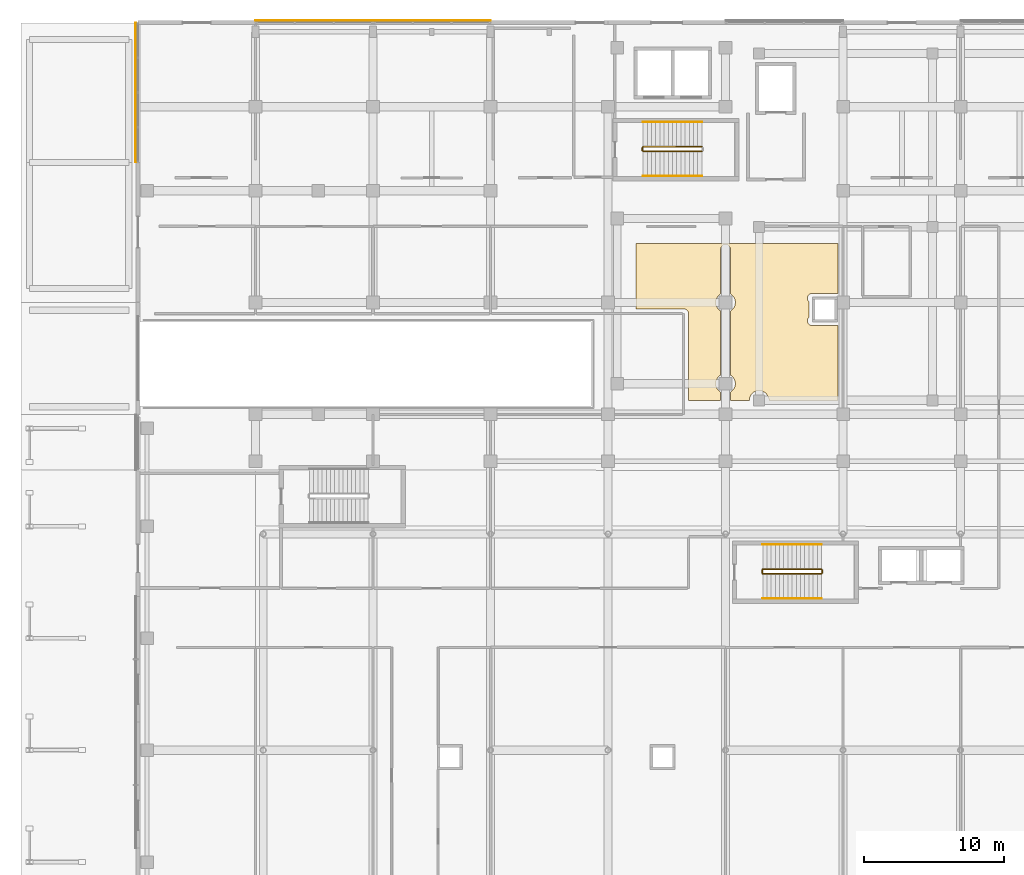
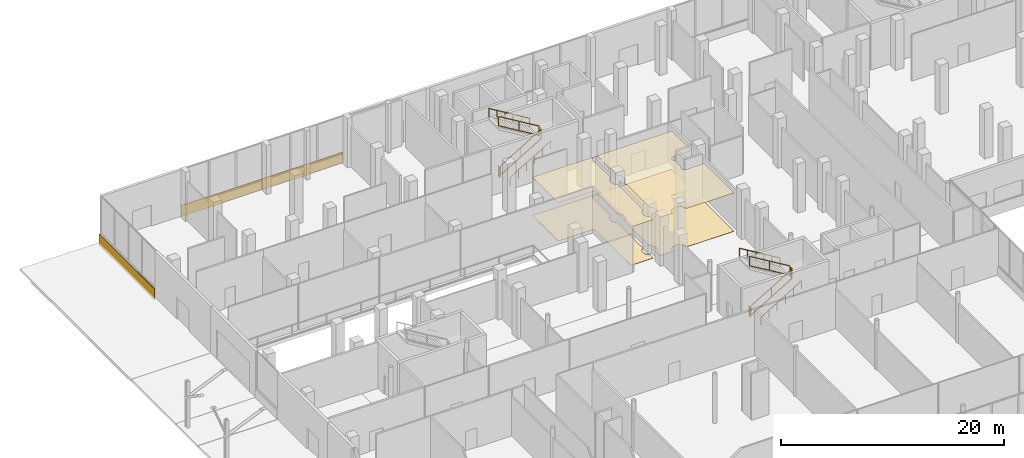
# One storey, part 153 of 158: 11 railings, 5 coverings.
"""IFC4 building model written with IfcOpenShell, lengths in metres."""

import ifcopenshell
import ifcopenshell.guid

model = None  # the IFC model being written
_history = None  # IfcOwnerHistory: only IFC2X3 demands one
_inside = {}  # id of a spatial element -> (the spatial element, [elements in it])
_under = {}  # id of a project, library or spatial element -> (it, [spatial elements below it])
_declared = {}  # id of a project -> (the project, [libraries it declares])
_typed = {}  # id of a type object -> (the type object, [elements of that type])
_made_of = {}  # id of a material, layer set ... -> (it, [elements and type objects made of it])


def new_model(schema):
    """Start an empty IFC model of exactly this schema.

    Asked for "IFC4X3", IfcOpenShell would pick the latest addendum, in which some entities
    have other attributes; the version numbers below select the first issue.
    IFC2X3 requires an IfcOwnerHistory on every rooted entity: one is made here for all.
    """
    global model, _history
    if schema == "IFC4X3":
        model = ifcopenshell.file(schema_version=(4, 3, 0, 0))
    else:
        model = ifcopenshell.file(schema=schema)
    _inside.clear()
    _under.clear()
    _declared.clear()
    _typed.clear()
    _made_of.clear()
    _history = None
    if model.schema == "IFC2X3":
        org = make("IfcOrganization", Name="unknown")
        user = make(
            "IfcPersonAndOrganization",
            ThePerson=make("IfcPerson", FamilyName="unknown"),
            TheOrganization=org,
        )
        app = make(
            "IfcApplication",
            ApplicationDeveloper=org,
            Version="unknown",
            ApplicationFullName="unknown",
            ApplicationIdentifier="unknown",
        )
        _history = make(
            "IfcOwnerHistory",
            OwningUser=user,
            OwningApplication=app,
            ChangeAction="ADDED",
            CreationDate=0,
        )
    return model


def make(cls, **values):
    """One entity of the class cls with the attributes given. An attribute that is None is left unset."""
    return model.create_entity(
        cls, **{name: value for name, value in values.items() if value is not None}
    )


def rooted(cls, **values):
    """An entity with a GlobalId (a new one), such as an element, a storey or a relation."""
    return make(cls, GlobalId=ifcopenshell.guid.new(), OwnerHistory=_history, **values)


def si_unit(unit_type, name, prefix=None):
    """IfcSIUnit, for example si_unit("LENGTHUNIT", "METRE", prefix="MILLI")."""
    return make("IfcSIUnit", UnitType=unit_type, Prefix=prefix, Name=name)


def assignment(units):
    """IfcUnitAssignment: the units of a project."""
    return None if units is None else make("IfcUnitAssignment", Units=units)


def point(xyz):
    """IfcCartesianPoint."""
    return None if xyz is None else make("IfcCartesianPoint", Coordinates=xyz)


def direction(xyz):
    """IfcDirection."""
    return None if xyz is None else make("IfcDirection", DirectionRatios=xyz)


def frame(location, z_axis=None, x_axis=None):
    """IfcAxis2Placement3D, a coordinate frame: its origin and axes. An axis left out is left unset."""
    return make(
        "IfcAxis2Placement3D",
        Location=point(location),
        Axis=direction(z_axis),
        RefDirection=direction(x_axis),
    )


def frame_2d(location, x_axis=None):
    """IfcAxis2Placement2D, a coordinate frame in the plane: its origin and x axis."""
    return make(
        "IfcAxis2Placement2D", Location=point(location), RefDirection=direction(x_axis)
    )


def origin():
    """The frame at (0, 0, 0) with its axes left unset."""
    return frame((0.0, 0.0, 0.0))


def origin_2d():
    """The frame at (0, 0) in the plane with its x axis left unset."""
    return frame_2d((0.0, 0.0))


def place(relative_to, where):
    """IfcLocalPlacement: puts the frame where relative to a parent placement (None: the world)."""
    return make(
        "IfcLocalPlacement", PlacementRelTo=relative_to, RelativePlacement=where
    )


def context(
    kind, dimensions, precision=None, world=None, true_north=None, identifier=None
):
    """IfcGeometricRepresentationContext, for example the 3D "Model" context."""
    return make(
        "IfcGeometricRepresentationContext",
        ContextIdentifier=identifier,
        ContextType=kind,
        CoordinateSpaceDimension=dimensions,
        Precision=precision,
        WorldCoordinateSystem=world,
        TrueNorth=true_north,
    )


def subcontext(parent, identifier, kind, view, scale=None):
    """IfcGeometricRepresentationSubContext, for example "Body" below "Model"."""
    return make(
        "IfcGeometricRepresentationSubContext",
        ContextIdentifier=identifier,
        ContextType=kind,
        ParentContext=parent,
        TargetScale=scale,
        TargetView=view,
    )


def project(units=None, contexts=None):
    """IfcProject with its units and contexts."""
    return rooted(
        "IfcProject",
        Name="project",
        RepresentationContexts=contexts,
        UnitsInContext=assignment(units),
    )


def spatial(cls, under=None, at=None, **own):
    """A site, building, storey or space (cls), placed at a placement, below another one or the project."""
    s = rooted(cls, ObjectPlacement=at, **own)
    if under is not None:
        _under.setdefault(under.id(), (under, []))[1].append(s)
    return s


def polyline(points):
    """IfcPolyline through the points."""
    return make("IfcPolyline", Points=[point(p) for p in points])


def profile(cls, at=None, kind="AREA", **sizes):
    """A parametric profile (cls). Its sizes go by their IFC names, for example OverallWidth=200.0."""
    return make(cls, ProfileType=kind, Position=at, **sizes)


def rectangle(**sizes):
    """IfcRectangleProfileDef."""
    return profile("IfcRectangleProfileDef", **sizes)


def circle(**sizes):
    """IfcCircleProfileDef."""
    return profile("IfcCircleProfileDef", **sizes)


def outline(outer, holes=None, kind="AREA"):
    """IfcArbitraryClosedProfileDef: a profile drawn as a closed curve; with holes, ...WithVoids."""
    if holes is None:
        return make("IfcArbitraryClosedProfileDef", ProfileType=kind, OuterCurve=outer)
    return make(
        "IfcArbitraryProfileDefWithVoids",
        ProfileType=kind,
        OuterCurve=outer,
        InnerCurves=holes,
    )


def extrude(swept, where, along, depth):
    """IfcExtrudedAreaSolid: the profile swept, set in the frame where, extruded along a direction by depth."""
    return make(
        "IfcExtrudedAreaSolid",
        SweptArea=swept,
        Position=where,
        ExtrudedDirection=direction(along),
        Depth=depth,
    )


def shape(context_of_items, identifier, shape_type, items):
    """IfcShapeRepresentation: the items that make up one representation, for example the "Body"."""
    return make(
        "IfcShapeRepresentation",
        ContextOfItems=context_of_items,
        RepresentationIdentifier=identifier,
        RepresentationType=shape_type,
        Items=items,
    )


def material(Name=None, Category=None):
    """IfcMaterial."""
    return make("IfcMaterial", Name=Name, Category=Category)


def layer(
    of_material, thickness, ventilated=None, Name=None, Category=None, Priority=None
):
    """IfcMaterialLayer: one layer of a wall or slab, of a material (None: an air gap)."""
    return make(
        "IfcMaterialLayer",
        Material=of_material,
        LayerThickness=thickness,
        IsVentilated=ventilated,
        Name=Name,
        Category=Category,
        Priority=Priority,
    )


def layer_set(layers, Name=None):
    """IfcMaterialLayerSet."""
    return make("IfcMaterialLayerSet", MaterialLayers=layers, LayerSetName=Name)


def made_of(thing, what):
    """Note that an element or type object is made of a material, layer set ...; save() writes the relation."""
    if what is not None:
        _made_of.setdefault(what.id(), (what, []))[1].append(thing)
    return thing


def type_object(cls, material=None, **own):
    """A type object (cls), such as IfcWallType, which elements share."""
    return made_of(rooted(cls, **own), material)


def element(
    cls,
    number,
    at=None,
    inside=None,
    cuts=None,
    type_object=None,
    material=None,
    context=None,
    identifier="Body",
    shape_type=None,
    held_by="IfcProductDefinitionShape",
    body=None,
    shapes=None,
    **own,
):
    """One element of the class cls, such as IfcWall. Its Tag is "e" and its number.

    at: its placement. inside: the storey or other place that contains it. cuts: it is an
    opening in that element (IfcRelVoidsElement). A single representation is given by context,
    identifier, shape_type and body (its items); several are given by shapes. held_by: the class
    of the entity that holds the representations. save() writes the other relations.
    """
    e = rooted(cls, Tag="e%d" % number, ObjectPlacement=at, **own)
    if body is not None:
        shapes = [shape(context, identifier, shape_type, body)]
    if shapes is not None:
        e.Representation = make(held_by, Representations=shapes)
    if inside is not None:
        _inside.setdefault(inside.id(), (inside, []))[1].append(e)
    if cuts is not None:
        rooted(
            "IfcRelVoidsElement", RelatingBuildingElement=cuts, RelatedOpeningElement=e
        )
    if type_object is not None:
        _typed.setdefault(type_object.id(), (type_object, []))[1].append(e)
    return made_of(e, material)


def aggregate(whole, parts):
    """IfcRelAggregates: a whole, such as a stair, and the parts it consists of."""
    return rooted("IfcRelAggregates", RelatingObject=whole, RelatedObjects=parts)


def save(model, path):
    """Write the relations noted so far, then the file.

    IfcRelAggregates (storeys below a building ...), IfcRelContainedInSpatialStructure (elements
    in a storey), IfcRelDefinesByType, IfcRelAssociatesMaterial and IfcRelDeclares: one each for
    every whole, place, type object, material and project.
    """
    for whole, parts in _under.values():
        aggregate(whole, parts)
    for where, things in _inside.values():
        rooted(
            "IfcRelContainedInSpatialStructure",
            RelatedElements=things,
            RelatingStructure=where,
        )
    for kind, things in _typed.values():
        rooted("IfcRelDefinesByType", RelatedObjects=things, RelatingType=kind)
    for what, things in _made_of.values():
        rooted("IfcRelAssociatesMaterial", RelatedObjects=things, RelatingMaterial=what)
    for by, libraries in _declared.values():
        rooted("IfcRelDeclares", RelatingContext=by, RelatedDefinitions=libraries)
    model.write(path)


model = new_model("IFC4")

# Units and contexts
model_context = context("Model", 3, precision=1e-05, world=origin(), true_north=direction((0.0, 1.0)))
body_context = subcontext(model_context, "Body", "Model", "MODEL_VIEW")
ifc_project = project(units=[si_unit("LENGTHUNIT", "METRE"), si_unit("AREAUNIT", "SQUARE_METRE"), si_unit("VOLUMEUNIT", "CUBIC_METRE"), si_unit("PLANEANGLEUNIT", "RADIAN"), si_unit("MASSUNIT", "GRAM", prefix="KILO")], contexts=[model_context])

# Site, building, storey
site_placement = place(None, origin())
site = spatial("IfcSite", under=ifc_project, at=site_placement, CompositionType="ELEMENT")
building_placement = place(site_placement, origin())
building = spatial("IfcBuilding", under=site, at=building_placement, Name="Selatvlak General Hospital", CompositionType="ELEMENT")
storey_placement = place(building_placement, origin())
storey = spatial("IfcBuildingStorey", under=building, at=storey_placement, Name="L00", CompositionType="ELEMENT", Elevation=0.0)

# Coverings
ifc_material_1 = material(Name="Acoustic mineral fibre ceiling tile")
ifc_layer_1 = layer(ifc_material_1, 0.02490234375, Name="Acoustic mineral fibre ceiling tile")
ifc_layer_set_1 = layer_set([ifc_layer_1], Name="Acoustic mineral fibre ceiling tile")
covering_type_1 = type_object("IfcCoveringType", Name="COV-CEIL1", PredefinedType="CEILING", material=ifc_layer_set_1)
covering_1_placement = place(storey_placement, frame((0.0, 0.0, 4.179931640625)))
element("IfcCovering", 1, at=covering_1_placement, inside=storey, type_object=covering_type_1, Name="L00 clinical acoustic ceiling 001", PredefinedType="CEILING", context=body_context, shape_type="SweptSolid", body=[
    extrude(outline(polyline([(50.0, 104.199951171875), (64.449951171875, 104.199951171875), (64.449951171875, 100.64599609375), (64.39990234375, 100.64990234375), (62.60009765625, 100.64990234375), (62.56591796875, 100.64794921875), (62.531982421875, 100.64306640625), (62.498046875, 100.635009765625), (62.466064453125, 100.623046875), (62.43505859375, 100.60888671875), (62.406005859375, 100.591064453125), (62.3779296875, 100.571044921875), (62.35302734375, 100.547119140625), (62.3291015625, 100.52197265625), (62.30908203125, 100.493896484375), (62.291015625, 100.465087890625), (62.277099609375, 100.43408203125), (62.264892578125, 100.402099609375), (62.257080078125, 100.367919921875), (62.251953125, 100.333984375), (62.25, 100.300048828125), (62.251953125, 100.26611328125), (62.257080078125, 100.23193359375), (62.264892578125, 100.197998046875), (62.277099609375, 100.166015625), (62.291015625, 100.135009765625), (62.30908203125, 100.10595703125), (62.3291015625, 100.077880859375), (62.35009765625, 100.054931640625), (62.35009765625, 98.945068359375), (62.3291015625, 98.922119140625), (62.30908203125, 98.89404296875), (62.291015625, 98.864990234375), (62.277099609375, 98.833984375), (62.264892578125, 98.802001953125), (62.257080078125, 98.76806640625), (62.251953125, 98.73388671875), (62.25, 98.699951171875), (62.251953125, 98.666015625), (62.257080078125, 98.632080078125), (62.264892578125, 98.597900390625), (62.277099609375, 98.56591796875), (62.291015625, 98.534912109375), (62.30908203125, 98.506103515625), (62.3291015625, 98.47802734375), (62.35302734375, 98.452880859375), (62.3779296875, 98.428955078125), (62.406005859375, 98.408935546875), (62.43505859375, 98.39111328125), (62.466064453125, 98.376953125), (62.498046875, 98.364990234375), (62.531982421875, 98.35693359375), (62.56591796875, 98.35205078125), (62.60009765625, 98.35009765625), (64.39990234375, 98.35009765625), (64.43408203125, 98.35205078125), (64.449951171875, 93.0), (59.5, 93.0), (59.4970703125, 93.069091796875), (59.487060546875, 93.136962890625), (59.469970703125, 93.202880859375), (59.447021484375, 93.26806640625), (59.4169921875, 93.330078125), (59.382080078125, 93.388916015625), (59.341064453125, 93.444091796875), (59.294921875, 93.4951171875), (59.243896484375, 93.541015625), (59.18896484375, 93.58203125), (59.1298828125, 93.616943359375), (59.068115234375, 93.64697265625), (59.0029296875, 93.669921875), (58.93701171875, 93.68701171875), (58.868896484375, 93.697021484375), (58.800048828125, 93.699951171875), (58.73095703125, 93.697021484375), (58.6630859375, 93.68701171875), (58.596923828125, 93.669921875), (58.531982421875, 93.64697265625), (58.469970703125, 93.616943359375), (58.410888671875, 93.58203125), (58.35595703125, 93.541015625), (58.304931640625, 93.4951171875), (58.259033203125, 93.444091796875), (58.218017578125, 93.388916015625), (58.18310546875, 93.330078125), (58.153076171875, 93.26806640625), (58.1298828125, 93.202880859375), (58.113037109375, 93.136962890625), (58.10302734375, 93.069091796875), (58.10009765625, 93.0), (56.75, 93.0), (56.75, 93.594970703125), (56.7890625, 93.617919921875), (56.843994140625, 93.658935546875), (56.89501953125, 93.705078125), (56.94091796875, 93.756103515625), (56.98193359375, 93.81103515625), (57.01708984375, 93.8701171875), (57.047119140625, 93.931884765625), (57.070068359375, 93.9970703125), (57.0869140625, 94.06298828125), (57.096923828125, 94.131103515625), (57.10009765625, 94.199951171875), (57.096923828125, 94.26904296875), (57.0869140625, 94.3369140625), (57.070068359375, 94.403076171875), (57.047119140625, 94.468017578125), (57.01708984375, 94.530029296875), (56.98193359375, 94.589111328125), (56.94091796875, 94.64404296875), (56.89501953125, 94.695068359375), (56.843994140625, 94.740966796875), (56.7890625, 94.781982421875), (56.75, 94.804931640625), (56.75, 99.39501953125), (56.7890625, 99.41796875), (56.843994140625, 99.458984375), (56.89501953125, 99.5048828125), (56.94091796875, 99.555908203125), (56.98193359375, 99.611083984375), (57.01708984375, 99.669921875), (57.047119140625, 99.73193359375), (57.070068359375, 99.797119140625), (57.0869140625, 99.863037109375), (57.096923828125, 99.930908203125), (57.10009765625, 100.0), (57.096923828125, 100.069091796875), (57.0869140625, 100.136962890625), (57.070068359375, 100.202880859375), (57.047119140625, 100.26806640625), (57.01708984375, 100.330078125), (56.98193359375, 100.388916015625), (56.94091796875, 100.444091796875), (56.89501953125, 100.4951171875), (56.843994140625, 100.541015625), (56.7890625, 100.58203125), (56.75, 100.60498046875), (56.75, 103.7900390625), (56.748046875, 103.823974609375), (56.742919921875, 103.85791015625), (56.735107421875, 103.89208984375), (56.722900390625, 103.924072265625), (56.708984375, 103.955078125), (56.69091796875, 103.98388671875), (56.6708984375, 104.011962890625), (56.64697265625, 104.037109375), (56.6220703125, 104.06103515625), (56.593994140625, 104.0810546875), (56.56494140625, 104.09912109375), (56.533935546875, 104.113037109375), (56.501953125, 104.125), (56.468017578125, 104.133056640625), (56.43408203125, 104.137939453125), (56.39990234375, 104.139892578125), (56.365966796875, 104.137939453125), (56.33203125, 104.133056640625), (56.298095703125, 104.125), (56.26611328125, 104.113037109375), (56.235107421875, 104.09912109375), (56.2060546875, 104.0810546875), (56.177978515625, 104.06103515625), (56.153076171875, 104.037109375), (56.12890625, 104.011962890625), (56.10888671875, 103.98388671875), (56.091064453125, 103.955078125), (56.076904296875, 103.924072265625), (56.06494140625, 103.89208984375), (56.056884765625, 103.85791015625), (56.052001953125, 103.823974609375), (56.050048828125, 103.7900390625), (56.050048828125, 100.60498046875), (56.010986328125, 100.58203125), (55.9560546875, 100.541015625), (55.905029296875, 100.4951171875), (55.85888671875, 100.444091796875), (55.818115234375, 100.388916015625), (55.782958984375, 100.330078125), (55.7529296875, 100.26806640625), (55.72998046875, 100.202880859375), (55.712890625, 100.136962890625), (55.702880859375, 100.069091796875), (55.699951171875, 100.0), (55.702880859375, 99.930908203125), (55.712890625, 99.863037109375), (55.72998046875, 99.797119140625), (55.7529296875, 99.73193359375), (55.782958984375, 99.669921875), (55.818115234375, 99.611083984375), (55.85888671875, 99.555908203125), (55.905029296875, 99.5048828125), (55.9560546875, 99.458984375), (56.010986328125, 99.41796875), (56.050048828125, 99.39501953125), (56.050048828125, 94.804931640625), (56.010986328125, 94.781982421875), (55.9560546875, 94.740966796875), (55.905029296875, 94.695068359375), (55.85888671875, 94.64404296875), (55.818115234375, 94.589111328125), (55.782958984375, 94.530029296875), (55.7529296875, 94.468017578125), (55.72998046875, 94.403076171875), (55.712890625, 94.3369140625), (55.702880859375, 94.26904296875), (55.699951171875, 94.199951171875), (55.702880859375, 94.131103515625), (55.712890625, 94.06298828125), (55.72998046875, 93.9970703125), (55.7529296875, 93.931884765625), (55.782958984375, 93.8701171875), (55.818115234375, 93.81103515625), (55.85888671875, 93.756103515625), (55.905029296875, 93.705078125), (55.9560546875, 93.658935546875), (56.010986328125, 93.617919921875), (56.050048828125, 93.594970703125), (56.050048828125, 93.0), (53.75, 93.0), (53.75, 99.199951171875), (53.748046875, 99.23388671875), (53.742919921875, 99.26806640625), (53.735107421875, 99.302001953125), (53.722900390625, 99.333984375), (53.708984375, 99.364990234375), (53.69091796875, 99.39404296875), (53.6708984375, 99.422119140625), (53.64697265625, 99.447021484375), (53.6220703125, 99.470947265625), (53.593994140625, 99.490966796875), (53.56494140625, 99.509033203125), (53.533935546875, 99.52294921875), (53.501953125, 99.534912109375), (53.468017578125, 99.54296875), (53.43408203125, 99.548095703125), (53.39990234375, 99.550048828125), (53.365966796875, 99.548095703125), (53.322021484375, 99.550048828125), (50.0, 99.550048828125), (50.0, 104.199951171875)])), origin(), (0.0, 0.0, 1.0), 0.025146484375),
])
ifc_material_2 = material(Name="Homogeneous anti-static hospital vinyl flooring")
ifc_layer_2 = layer(ifc_material_2, 0.014892578125, Name="Homogeneous anti-static hospital vinyl flooring")
ifc_layer_set_2 = layer_set([ifc_layer_2], Name="Homogeneous anti-static hospital vinyl flooring")
covering_type_2 = type_object("IfcCoveringType", Name="COV-FLR1", PredefinedType="FLOORING", material=ifc_layer_set_2)
covering_2_placement = place(storey_placement, origin())
element("IfcCovering", 2, at=covering_2_placement, inside=storey, type_object=covering_type_2, Name="L00 seamless vinyl flooring 001", PredefinedType="FLOORING", context=body_context, shape_type="SweptSolid", body=[
    extrude(outline(polyline([(50.0, 104.199951171875), (64.449951171875, 104.199951171875), (64.449951171875, 100.64599609375), (64.39990234375, 100.64990234375), (62.60009765625, 100.64990234375), (62.56591796875, 100.64794921875), (62.531982421875, 100.64306640625), (62.498046875, 100.635009765625), (62.466064453125, 100.623046875), (62.43505859375, 100.60888671875), (62.406005859375, 100.591064453125), (62.3779296875, 100.571044921875), (62.35302734375, 100.547119140625), (62.3291015625, 100.52197265625), (62.30908203125, 100.493896484375), (62.291015625, 100.465087890625), (62.277099609375, 100.43408203125), (62.264892578125, 100.402099609375), (62.257080078125, 100.367919921875), (62.251953125, 100.333984375), (62.25, 100.300048828125), (62.251953125, 100.26611328125), (62.257080078125, 100.23193359375), (62.264892578125, 100.197998046875), (62.277099609375, 100.166015625), (62.291015625, 100.135009765625), (62.30908203125, 100.10595703125), (62.3291015625, 100.077880859375), (62.35009765625, 100.054931640625), (62.35009765625, 98.945068359375), (62.3291015625, 98.922119140625), (62.30908203125, 98.89404296875), (62.291015625, 98.864990234375), (62.277099609375, 98.833984375), (62.264892578125, 98.802001953125), (62.257080078125, 98.76806640625), (62.251953125, 98.73388671875), (62.25, 98.699951171875), (62.251953125, 98.666015625), (62.257080078125, 98.632080078125), (62.264892578125, 98.597900390625), (62.277099609375, 98.56591796875), (62.291015625, 98.534912109375), (62.30908203125, 98.506103515625), (62.3291015625, 98.47802734375), (62.35302734375, 98.452880859375), (62.3779296875, 98.428955078125), (62.406005859375, 98.408935546875), (62.43505859375, 98.39111328125), (62.466064453125, 98.376953125), (62.498046875, 98.364990234375), (62.531982421875, 98.35693359375), (62.56591796875, 98.35205078125), (62.60009765625, 98.35009765625), (64.39990234375, 98.35009765625), (64.43408203125, 98.35205078125), (64.449951171875, 93.0), (59.5, 93.0), (59.4970703125, 93.069091796875), (59.487060546875, 93.136962890625), (59.469970703125, 93.202880859375), (59.447021484375, 93.26806640625), (59.4169921875, 93.330078125), (59.382080078125, 93.388916015625), (59.341064453125, 93.444091796875), (59.294921875, 93.4951171875), (59.243896484375, 93.541015625), (59.18896484375, 93.58203125), (59.1298828125, 93.616943359375), (59.068115234375, 93.64697265625), (59.0029296875, 93.669921875), (58.93701171875, 93.68701171875), (58.868896484375, 93.697021484375), (58.800048828125, 93.699951171875), (58.73095703125, 93.697021484375), (58.6630859375, 93.68701171875), (58.596923828125, 93.669921875), (58.531982421875, 93.64697265625), (58.469970703125, 93.616943359375), (58.410888671875, 93.58203125), (58.35595703125, 93.541015625), (58.304931640625, 93.4951171875), (58.259033203125, 93.444091796875), (58.218017578125, 93.388916015625), (58.18310546875, 93.330078125), (58.153076171875, 93.26806640625), (58.1298828125, 93.202880859375), (58.113037109375, 93.136962890625), (58.10302734375, 93.069091796875), (58.10009765625, 93.0), (56.75, 93.0), (56.75, 93.594970703125), (56.7890625, 93.617919921875), (56.843994140625, 93.658935546875), (56.89501953125, 93.705078125), (56.94091796875, 93.756103515625), (56.98193359375, 93.81103515625), (57.01708984375, 93.8701171875), (57.047119140625, 93.931884765625), (57.070068359375, 93.9970703125), (57.0869140625, 94.06298828125), (57.096923828125, 94.131103515625), (57.10009765625, 94.199951171875), (57.096923828125, 94.26904296875), (57.0869140625, 94.3369140625), (57.070068359375, 94.403076171875), (57.047119140625, 94.468017578125), (57.01708984375, 94.530029296875), (56.98193359375, 94.589111328125), (56.94091796875, 94.64404296875), (56.89501953125, 94.695068359375), (56.843994140625, 94.740966796875), (56.7890625, 94.781982421875), (56.75, 94.804931640625), (56.75, 99.39501953125), (56.7890625, 99.41796875), (56.843994140625, 99.458984375), (56.89501953125, 99.5048828125), (56.94091796875, 99.555908203125), (56.98193359375, 99.611083984375), (57.01708984375, 99.669921875), (57.047119140625, 99.73193359375), (57.070068359375, 99.797119140625), (57.0869140625, 99.863037109375), (57.096923828125, 99.930908203125), (57.10009765625, 100.0), (57.096923828125, 100.069091796875), (57.0869140625, 100.136962890625), (57.070068359375, 100.202880859375), (57.047119140625, 100.26806640625), (57.01708984375, 100.330078125), (56.98193359375, 100.388916015625), (56.94091796875, 100.444091796875), (56.89501953125, 100.4951171875), (56.843994140625, 100.541015625), (56.7890625, 100.58203125), (56.75, 100.60498046875), (56.75, 103.7900390625), (56.748046875, 103.823974609375), (56.742919921875, 103.85791015625), (56.735107421875, 103.89208984375), (56.722900390625, 103.924072265625), (56.708984375, 103.955078125), (56.69091796875, 103.98388671875), (56.6708984375, 104.011962890625), (56.64697265625, 104.037109375), (56.6220703125, 104.06103515625), (56.593994140625, 104.0810546875), (56.56494140625, 104.09912109375), (56.533935546875, 104.113037109375), (56.501953125, 104.125), (56.468017578125, 104.133056640625), (56.43408203125, 104.137939453125), (56.39990234375, 104.139892578125), (56.365966796875, 104.137939453125), (56.33203125, 104.133056640625), (56.298095703125, 104.125), (56.26611328125, 104.113037109375), (56.235107421875, 104.09912109375), (56.2060546875, 104.0810546875), (56.177978515625, 104.06103515625), (56.153076171875, 104.037109375), (56.12890625, 104.011962890625), (56.10888671875, 103.98388671875), (56.091064453125, 103.955078125), (56.076904296875, 103.924072265625), (56.06494140625, 103.89208984375), (56.056884765625, 103.85791015625), (56.052001953125, 103.823974609375), (56.050048828125, 103.7900390625), (56.050048828125, 100.60498046875), (56.010986328125, 100.58203125), (55.9560546875, 100.541015625), (55.905029296875, 100.4951171875), (55.85888671875, 100.444091796875), (55.818115234375, 100.388916015625), (55.782958984375, 100.330078125), (55.7529296875, 100.26806640625), (55.72998046875, 100.202880859375), (55.712890625, 100.136962890625), (55.702880859375, 100.069091796875), (55.699951171875, 100.0), (55.702880859375, 99.930908203125), (55.712890625, 99.863037109375), (55.72998046875, 99.797119140625), (55.7529296875, 99.73193359375), (55.782958984375, 99.669921875), (55.818115234375, 99.611083984375), (55.85888671875, 99.555908203125), (55.905029296875, 99.5048828125), (55.9560546875, 99.458984375), (56.010986328125, 99.41796875), (56.050048828125, 99.39501953125), (56.050048828125, 94.804931640625), (56.010986328125, 94.781982421875), (55.9560546875, 94.740966796875), (55.905029296875, 94.695068359375), (55.85888671875, 94.64404296875), (55.818115234375, 94.589111328125), (55.782958984375, 94.530029296875), (55.7529296875, 94.468017578125), (55.72998046875, 94.403076171875), (55.712890625, 94.3369140625), (55.702880859375, 94.26904296875), (55.699951171875, 94.199951171875), (55.702880859375, 94.131103515625), (55.712890625, 94.06298828125), (55.72998046875, 93.9970703125), (55.7529296875, 93.931884765625), (55.782958984375, 93.8701171875), (55.818115234375, 93.81103515625), (55.85888671875, 93.756103515625), (55.905029296875, 93.705078125), (55.9560546875, 93.658935546875), (56.010986328125, 93.617919921875), (56.050048828125, 93.594970703125), (56.050048828125, 93.0), (53.75, 93.0), (53.75, 99.199951171875), (53.748046875, 99.23388671875), (53.742919921875, 99.26806640625), (53.735107421875, 99.302001953125), (53.722900390625, 99.333984375), (53.708984375, 99.364990234375), (53.69091796875, 99.39404296875), (53.6708984375, 99.422119140625), (53.64697265625, 99.447021484375), (53.6220703125, 99.470947265625), (53.593994140625, 99.490966796875), (53.56494140625, 99.509033203125), (53.533935546875, 99.52294921875), (53.501953125, 99.534912109375), (53.468017578125, 99.54296875), (53.43408203125, 99.548095703125), (53.39990234375, 99.550048828125), (53.365966796875, 99.548095703125), (53.322021484375, 99.550048828125), (50.0, 99.550048828125), (50.0, 104.199951171875)])), origin(), (0.0, 0.0, 1.0), 0.014892578125),
])
ifc_material_3 = material(Name="White Bauhaus fair-faced cladding panel")
ifc_layer_3 = layer(ifc_material_3, 0.054931640625, Name="White Bauhaus fair-faced cladding panel")
ifc_layer_set_3 = layer_set([ifc_layer_3], Name="White Bauhaus fair-faced cladding panel")
covering_type_3 = type_object("IfcCoveringType", Name="COV-WHT1", PredefinedType="CLADDING", material=ifc_layer_set_3)
covering_3_placement = place(storey_placement, frame((14.235107421875, 115.009033203125, -0.27978515625), z_axis=(0.0, 0.0, 1.0), x_axis=(0.0, 1.0, 0.0)))
element("IfcCovering", 3, at=covering_3_placement, inside=storey, type_object=covering_type_3, Name="L00 Bauhaus horizontal white spandrel band 0004", PredefinedType="CLADDING", context=body_context, shape_type="SweptSolid", body=[
    extrude(rectangle(XDim=9.97998046875, YDim=0.054931640625, at=origin_2d()), origin(), (0.0, 0.0, 1.0), 1.219970703125),
])
for number, where, z_axis, x_axis, name in (
    (4, (27.0, 120.1640625, -0.27978515625), (0.0, 0.0, 1.0), (1.0, 0.0, 0.0), "L00 Bauhaus horizontal white spandrel band 0005"),
    (5, (35.39990234375, 120.1640625, -0.27978515625), (0.0, 0.0, 1.0), (1.0, 0.0, 0.0), "L00 Bauhaus horizontal white spandrel band 0006"),
):
    element("IfcCovering", number, at=place(storey_placement, frame(where, z_axis=z_axis, x_axis=x_axis)), inside=storey, type_object=covering_type_3, Name=name, PredefinedType="CLADDING", context=body_context, shape_type="SweptSolid", body=[
        extrude(rectangle(XDim=8.39990234375, YDim=0.054931640625, at=origin_2d()), origin(), (0.0, 0.0, 1.0), 1.219970703125),
    ])

# Railings
ifc_material_4 = material(Name="Stainless steel 316 stair guard", Category="steel")
railing_type_1 = type_object("IfcRailingType", Name="RAIL-STG", PredefinedType="GUARDRAIL", material=ifc_material_4)
railing_1_placement = place(storey_placement, frame((50.510009765625, 110.81005859375, 0.179931640625)))
element("IfcRailing", 6, at=railing_1_placement, inside=storey, type_object=railing_type_1, Name="L00 ST-01 stair guard 1", PredefinedType="GUARDRAIL", context=body_context, shape_type="SweptSolid", body=[
    extrude(rectangle(XDim=0.068115234375, YDim=0.068115234375, at=origin_2d()), frame((0.00244140625, 0.0, 1.067626953125), z_axis=(0.857488527567, 0.0, 0.514503085598), x_axis=(0.0, 1.0, 0.0)), (0.0, 0.0, 1.0), 4.89208984375),
    extrude(rectangle(XDim=0.068115234375, YDim=0.068115234375, at=origin_2d()), frame((0.00244140625, 0.0, 0.050537109375), z_axis=(0.857488527567, 0.0, 0.514503085598), x_axis=(0.0, 1.0, 0.0)), (0.0, 0.0, 1.0), 4.89208984375),
    extrude(rectangle(XDim=0.055908203125, YDim=0.055908203125, at=origin_2d()), origin(), (0.0, 0.0, 1.0), 1.029052734375),
    extrude(rectangle(XDim=0.055908203125, YDim=0.055908203125, at=origin_2d()), frame((2.10009765625, 0.0, 1.260009765625)), (0.0, 0.0, 1.0), 1.029052734375),
    extrude(rectangle(XDim=0.055908203125, YDim=0.055908203125, at=origin_2d()), frame((4.199951171875, 0.0, 2.52001953125)), (0.0, 0.0, 1.0), 1.029052734375),
])
railing_2_placement = place(storey_placement, frame((54.7099609375, 111.1298828125, 2.8798828125)))
element("IfcRailing", 7, at=railing_2_placement, inside=storey, type_object=railing_type_1, Name="L00 ST-01 stair guard 3", PredefinedType="GUARDRAIL", context=body_context, shape_type="SweptSolid", body=[
    extrude(rectangle(XDim=0.068115234375, YDim=0.068115234375, at=origin_2d()), frame((-0.00244140625, 0.0, 1.067626953125), z_axis=(-0.857488527567, 0.0, 0.514503085598), x_axis=(0.0, -1.0, 0.0)), (0.0, 0.0, 1.0), 4.89208984375),
    extrude(rectangle(XDim=0.068115234375, YDim=0.068115234375, at=origin_2d()), frame((-0.00244140625, 0.0, 0.050537109375), z_axis=(-0.857488527567, 0.0, 0.514503085598), x_axis=(0.0, -1.0, 0.0)), (0.0, 0.0, 1.0), 4.89208984375),
    extrude(rectangle(XDim=0.055908203125, YDim=0.055908203125, at=origin_2d()), origin(), (0.0, 0.0, 1.0), 1.029052734375),
    extrude(rectangle(XDim=0.055908203125, YDim=0.055908203125, at=origin_2d()), frame((-2.10009765625, 0.0, 1.260009765625)), (0.0, 0.0, 1.0), 1.029052734375),
    extrude(rectangle(XDim=0.055908203125, YDim=0.055908203125, at=origin_2d()), frame((-4.199951171875, 0.0, 2.52001953125)), (0.0, 0.0, 1.0), 1.029052734375),
])
railing_3_placement = place(storey_placement, frame((50.4599609375, 110.860107421875, 0.0)))
element("IfcRailing", 8, at=railing_3_placement, inside=storey, type_object=railing_type_1, Name="L00 ST-01 stair guard 4", PredefinedType="GUARDRAIL", context=body_context, shape_type="SweptSolid", body=[
    extrude(rectangle(XDim=0.068115234375, YDim=0.068115234375, at=origin_2d()), frame((0.0, 0.0029296875, 1.06591796875), z_axis=(0.0, 1.0, 0.0), x_axis=(-1.0, 0.0, 0.0)), (0.0, 0.0, 1.0), 0.214111328125),
    extrude(rectangle(XDim=0.068115234375, YDim=0.068115234375, at=origin_2d()), frame((0.0, 0.0029296875, 0.049072265625), z_axis=(0.0, 1.0, 0.0), x_axis=(-1.0, 0.0, 0.0)), (0.0, 0.0, 1.0), 0.214111328125),
    extrude(rectangle(XDim=0.055908203125, YDim=0.055908203125, at=origin_2d()), origin(), (0.0, 0.0, 1.0), 1.029052734375),
    extrude(rectangle(XDim=0.055908203125, YDim=0.055908203125, at=origin_2d()), frame((0.0, 0.219970703125, 0.0)), (0.0, 0.0, 1.0), 1.029052734375),
])
railing_4_placement = place(storey_placement, frame((59.06005859375, 80.610107421875, 0.179931640625)))
element("IfcRailing", 9, at=railing_4_placement, inside=storey, type_object=railing_type_1, Name="L00 ST-05 stair guard 1", PredefinedType="GUARDRAIL", context=body_context, shape_type="SweptSolid", body=[
    extrude(rectangle(XDim=0.068115234375, YDim=0.068115234375, at=origin_2d()), frame((0.00244140625, 0.0, 1.067626953125), z_axis=(0.857488527567, 0.0, 0.514503085598), x_axis=(0.0, 1.0, 0.0)), (0.0, 0.0, 1.0), 4.89208984375),
    extrude(rectangle(XDim=0.068115234375, YDim=0.068115234375, at=origin_2d()), frame((0.00244140625, 0.0, 0.050537109375), z_axis=(0.857488527567, 0.0, 0.514503085598), x_axis=(0.0, 1.0, 0.0)), (0.0, 0.0, 1.0), 4.89208984375),
    extrude(rectangle(XDim=0.055908203125, YDim=0.055908203125, at=origin_2d()), origin(), (0.0, 0.0, 1.0), 1.029052734375),
    extrude(rectangle(XDim=0.055908203125, YDim=0.055908203125, at=origin_2d()), frame((2.10009765625, 0.0, 1.260009765625)), (0.0, 0.0, 1.0), 1.029052734375),
    extrude(rectangle(XDim=0.055908203125, YDim=0.055908203125, at=origin_2d()), frame((4.199951171875, 0.0, 2.52001953125)), (0.0, 0.0, 1.0), 1.029052734375),
])
railing_5_placement = place(storey_placement, frame((63.31005859375, 80.659912109375, 2.699951171875)))
element("IfcRailing", 10, at=railing_5_placement, inside=storey, type_object=railing_type_1, Name="L00 ST-05 stair guard 2", PredefinedType="GUARDRAIL", context=body_context, shape_type="SweptSolid", body=[
    extrude(rectangle(XDim=0.068115234375, YDim=0.068115234375, at=origin_2d()), frame((0.0, 0.0029296875, 1.06591796875), z_axis=(0.0, 1.0, 0.0), x_axis=(-1.0, 0.0, 0.0)), (0.0, 0.0, 1.0), 0.214111328125),
    extrude(rectangle(XDim=0.068115234375, YDim=0.068115234375, at=origin_2d()), frame((0.0, 0.0029296875, 0.049072265625), z_axis=(0.0, 1.0, 0.0), x_axis=(-1.0, 0.0, 0.0)), (0.0, 0.0, 1.0), 0.214111328125),
    extrude(rectangle(XDim=0.055908203125, YDim=0.055908203125, at=origin_2d()), origin(), (0.0, 0.0, 1.0), 1.029052734375),
    extrude(rectangle(XDim=0.055908203125, YDim=0.055908203125, at=origin_2d()), frame((0.0, 0.219970703125, 0.0)), (0.0, 0.0, 1.0), 1.029052734375),
])
railing_6_placement = place(storey_placement, frame((63.260009765625, 80.929931640625, 2.8798828125)))
element("IfcRailing", 11, at=railing_6_placement, inside=storey, type_object=railing_type_1, Name="L00 ST-05 stair guard 3", PredefinedType="GUARDRAIL", context=body_context, shape_type="SweptSolid", body=[
    extrude(rectangle(XDim=0.068115234375, YDim=0.068115234375, at=origin_2d()), frame((-0.00244140625, 0.0, 1.067626953125), z_axis=(-0.857488527567, 0.0, 0.514503085598), x_axis=(0.0, -1.0, 0.0)), (0.0, 0.0, 1.0), 4.89208984375),
    extrude(rectangle(XDim=0.068115234375, YDim=0.068115234375, at=origin_2d()), frame((-0.00244140625, 0.0, 0.050537109375), z_axis=(-0.857488527567, 0.0, 0.514503085598), x_axis=(0.0, -1.0, 0.0)), (0.0, 0.0, 1.0), 4.89208984375),
    extrude(rectangle(XDim=0.055908203125, YDim=0.055908203125, at=origin_2d()), origin(), (0.0, 0.0, 1.0), 1.029052734375),
    extrude(rectangle(XDim=0.055908203125, YDim=0.055908203125, at=origin_2d()), frame((-2.10009765625, 0.0, 1.260009765625)), (0.0, 0.0, 1.0), 1.029052734375),
    extrude(rectangle(XDim=0.055908203125, YDim=0.055908203125, at=origin_2d()), frame((-4.199951171875, 0.0, 2.52001953125)), (0.0, 0.0, 1.0), 1.029052734375),
])
railing_7_placement = place(storey_placement, frame((59.010009765625, 80.659912109375, 0.0)))
element("IfcRailing", 12, at=railing_7_placement, inside=storey, type_object=railing_type_1, Name="L00 ST-05 stair guard 4", PredefinedType="GUARDRAIL", context=body_context, shape_type="SweptSolid", body=[
    extrude(rectangle(XDim=0.068115234375, YDim=0.068115234375, at=origin_2d()), frame((0.0, 0.0029296875, 1.06591796875), z_axis=(0.0, 1.0, 0.0), x_axis=(-1.0, 0.0, 0.0)), (0.0, 0.0, 1.0), 0.214111328125),
    extrude(rectangle(XDim=0.068115234375, YDim=0.068115234375, at=origin_2d()), frame((0.0, 0.0029296875, 0.049072265625), z_axis=(0.0, 1.0, 0.0), x_axis=(-1.0, 0.0, 0.0)), (0.0, 0.0, 1.0), 0.214111328125),
    extrude(rectangle(XDim=0.055908203125, YDim=0.055908203125, at=origin_2d()), origin(), (0.0, 0.0, 1.0), 1.029052734375),
    extrude(rectangle(XDim=0.055908203125, YDim=0.055908203125, at=origin_2d()), frame((0.0, 0.219970703125, 0.0)), (0.0, 0.0, 1.0), 1.029052734375),
])
ifc_material_5 = material(Name="Stainless steel 316 handrail", Category="steel")
railing_type_2 = type_object("IfcRailingType", Name="RAIL-STH", PredefinedType="HANDRAIL", material=ifc_material_5)
railing_8_placement = place(storey_placement, frame((50.510009765625, 109.050048828125, 0.179931640625)))
element("IfcRailing", 13, at=railing_8_placement, inside=storey, type_object=railing_type_2, Name="L00 ST-01 stair handrail 1", PredefinedType="HANDRAIL", context=body_context, shape_type="SweptSolid", body=[
    extrude(circle(Radius=0.02392578125, at=origin_2d()), frame((0.00244140625, 0.0, 0.87744140625), z_axis=(0.857488527567, 0.0, 0.514503085598), x_axis=(0.0, 1.0, 0.0)), (0.0, 0.0, 1.0), 4.89208984375),
    extrude(circle(Radius=0.02099609375, at=origin_2d()), origin(), (0.0, 0.0, 1.0), 0.848876953125),
    extrude(circle(Radius=0.02099609375, at=origin_2d()), frame((0.840087890625, 0.0, 0.50390625)), (0.0, 0.0, 1.0), 0.848876953125),
    extrude(circle(Radius=0.02099609375, at=origin_2d()), frame((1.679931640625, 0.0, 1.008056640625)), (0.0, 0.0, 1.0), 0.848876953125),
    extrude(circle(Radius=0.02099609375, at=origin_2d()), frame((2.52001953125, 0.0, 1.511962890625)), (0.0, 0.0, 1.0), 0.848876953125),
    extrude(circle(Radius=0.02099609375, at=origin_2d()), frame((3.35986328125, 0.0, 2.01611328125)), (0.0, 0.0, 1.0), 0.848876953125),
    extrude(circle(Radius=0.02099609375, at=origin_2d()), frame((4.199951171875, 0.0, 2.52001953125)), (0.0, 0.0, 1.0), 0.848876953125),
])
railing_9_placement = place(storey_placement, frame((54.7099609375, 112.889892578125, 2.8798828125)))
element("IfcRailing", 14, at=railing_9_placement, inside=storey, type_object=railing_type_2, Name="L00 ST-01 stair handrail 2", PredefinedType="HANDRAIL", context=body_context, shape_type="SweptSolid", body=[
    extrude(circle(Radius=0.02392578125, at=origin_2d()), frame((-0.00244140625, 0.0, 0.87744140625), z_axis=(-0.857488527567, 0.0, 0.514503085598), x_axis=(0.0, -1.0, 0.0)), (0.0, 0.0, 1.0), 4.89208984375),
    extrude(circle(Radius=0.02099609375, at=origin_2d()), origin(), (0.0, 0.0, 1.0), 0.848876953125),
    extrude(circle(Radius=0.02099609375, at=origin_2d()), frame((-0.840087890625, 0.0, 0.50390625)), (0.0, 0.0, 1.0), 0.848876953125),
    extrude(circle(Radius=0.02099609375, at=origin_2d()), frame((-1.679931640625, 0.0, 1.008056640625)), (0.0, 0.0, 1.0), 0.848876953125),
    extrude(circle(Radius=0.02099609375, at=origin_2d()), frame((-2.52001953125, 0.0, 1.511962890625)), (0.0, 0.0, 1.0), 0.848876953125),
    extrude(circle(Radius=0.02099609375, at=origin_2d()), frame((-3.35986328125, 0.0, 2.01611328125)), (0.0, 0.0, 1.0), 0.848876953125),
    extrude(circle(Radius=0.02099609375, at=origin_2d()), frame((-4.199951171875, 0.0, 2.52001953125)), (0.0, 0.0, 1.0), 0.848876953125),
])
railing_10_placement = place(storey_placement, frame((59.06005859375, 78.85009765625, 0.179931640625)))
element("IfcRailing", 15, at=railing_10_placement, inside=storey, type_object=railing_type_2, Name="L00 ST-05 stair handrail 1", PredefinedType="HANDRAIL", context=body_context, shape_type="SweptSolid", body=[
    extrude(circle(Radius=0.02392578125, at=origin_2d()), frame((0.00244140625, 0.0, 0.87744140625), z_axis=(0.857488527567, 0.0, 0.514503085598), x_axis=(0.0, 1.0, 0.0)), (0.0, 0.0, 1.0), 4.89208984375),
    extrude(circle(Radius=0.02099609375, at=origin_2d()), origin(), (0.0, 0.0, 1.0), 0.848876953125),
    extrude(circle(Radius=0.02099609375, at=origin_2d()), frame((0.840087890625, 0.0, 0.50390625)), (0.0, 0.0, 1.0), 0.848876953125),
    extrude(circle(Radius=0.02099609375, at=origin_2d()), frame((1.679931640625, 0.0, 1.008056640625)), (0.0, 0.0, 1.0), 0.848876953125),
    extrude(circle(Radius=0.02099609375, at=origin_2d()), frame((2.52001953125, 0.0, 1.511962890625)), (0.0, 0.0, 1.0), 0.848876953125),
    extrude(circle(Radius=0.02099609375, at=origin_2d()), frame((3.35986328125, 0.0, 2.01611328125)), (0.0, 0.0, 1.0), 0.848876953125),
    extrude(circle(Radius=0.02099609375, at=origin_2d()), frame((4.199951171875, 0.0, 2.52001953125)), (0.0, 0.0, 1.0), 0.848876953125),
])
railing_11_placement = place(storey_placement, frame((63.260009765625, 82.68994140625, 2.8798828125)))
element("IfcRailing", 16, at=railing_11_placement, inside=storey, type_object=railing_type_2, Name="L00 ST-05 stair handrail 2", PredefinedType="HANDRAIL", context=body_context, shape_type="SweptSolid", body=[
    extrude(circle(Radius=0.02392578125, at=origin_2d()), frame((-0.00244140625, 0.0, 0.87744140625), z_axis=(-0.857488527567, 0.0, 0.514503085598), x_axis=(0.0, -1.0, 0.0)), (0.0, 0.0, 1.0), 4.89208984375),
    extrude(circle(Radius=0.02099609375, at=origin_2d()), origin(), (0.0, 0.0, 1.0), 0.848876953125),
    extrude(circle(Radius=0.02099609375, at=origin_2d()), frame((-0.840087890625, 0.0, 0.50390625)), (0.0, 0.0, 1.0), 0.848876953125),
    extrude(circle(Radius=0.02099609375, at=origin_2d()), frame((-1.679931640625, 0.0, 1.008056640625)), (0.0, 0.0, 1.0), 0.848876953125),
    extrude(circle(Radius=0.02099609375, at=origin_2d()), frame((-2.52001953125, 0.0, 1.511962890625)), (0.0, 0.0, 1.0), 0.848876953125),
    extrude(circle(Radius=0.02099609375, at=origin_2d()), frame((-3.35986328125, 0.0, 2.01611328125)), (0.0, 0.0, 1.0), 0.848876953125),
    extrude(circle(Radius=0.02099609375, at=origin_2d()), frame((-4.199951171875, 0.0, 2.52001953125)), (0.0, 0.0, 1.0), 0.848876953125),
])

save(model, "model.ifc")
